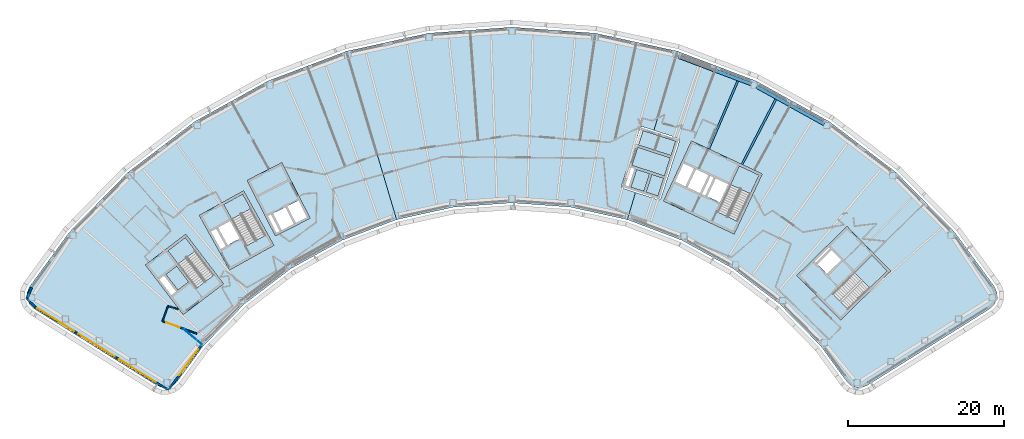
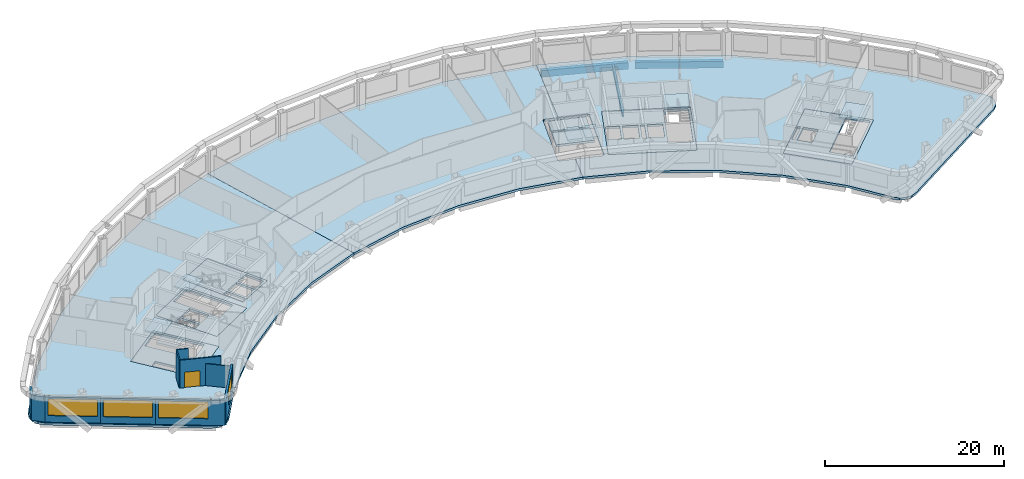
# One storey, part 4 of 18: 17 slabs, 10 walls, 4 beams, 4 windows, 1 door, 5 openings, 4 elements without a shape of their own.
"""IFC4 building model written with IfcOpenShell, lengths in metres."""

from ifc_helpers import new_model, si_unit, direction, frame, frame_2d, origin, origin_2d, place, context, subcontext, project, spatial, polyline, rectangle, hollow_rectangle, i_section, outline, extrude, material, layer, layer_set, material_profile, profile_set, type_object, element, fill, aggregate, save


model = new_model("IFC4")

# Units and contexts
model_context = context("Model", 3, precision=1e-05, world=origin(), true_north=direction((0.0, 1.0)))
body_context = subcontext(model_context, "Body", "Model", "MODEL_VIEW")
ifc_project = project(units=[si_unit("LENGTHUNIT", "METRE"), si_unit("AREAUNIT", "SQUARE_METRE"), si_unit("VOLUMEUNIT", "CUBIC_METRE"), si_unit("PLANEANGLEUNIT", "RADIAN"), si_unit("MASSUNIT", "GRAM", prefix="KILO")], contexts=[model_context])

# Site, building, storey
site_placement = place(None, origin())
site = spatial("IfcSite", under=ifc_project, at=site_placement, CompositionType="ELEMENT")
building_placement = place(site_placement, origin())
building = spatial("IfcBuilding", under=site, at=building_placement, Name="Tuul Gate Civic Tower", CompositionType="ELEMENT")
storey_placement = place(building_placement, frame((0.0, 0.0, 234.699951171875)))
storey = spatial("IfcBuildingStorey", under=building, at=storey_placement, Name="Level 53", CompositionType="ELEMENT", Elevation=234.699951171875)

# Beams
ifc_material_1 = material(Name="Steel S355", Category="steel")
ifc_material_profile_1 = material_profile(ifc_material_1, i_section(OverallWidth=0.25, OverallDepth=0.64990234375, WebThickness=0.011962890625, FlangeThickness=0.02001953125, at=origin_2d()), Name="PG650x250x12x20")
ifc_profile_set_1 = profile_set([ifc_material_profile_1], Name="Steel S355")
beam_type_1 = type_object("IfcBeamType", Name="STR-FLOOR BEAM-PG650x250x12x20", PredefinedType="BEAM", material=ifc_profile_set_1)
beam_1_placement = place(storey_placement, frame((35.4609375, 1.528564453125, -0.625), z_axis=(0.460792486789, 0.887507906511, 0.0), x_axis=(-0.887507906511, 0.460792486789, 0.0)))
element("IfcBeam", 1, at=beam_1_placement, inside=storey, type_object=beam_type_1, Name="Floor beam", PredefinedType="BEAM", context=body_context, shape_type="SweptSolid", body=[
    extrude(i_section(OverallWidth=0.25, OverallDepth=0.64990234375, WebThickness=0.011962890625, FlangeThickness=0.02001953125, at=origin_2d()), origin(), (0.0, 0.0, 1.0), 9.4140625),
])
beam_2_placement = place(storey_placement, frame((31.184814453125, 3.5224609375, -0.625), z_axis=(0.394202008704, 0.919023817066, 0.0), x_axis=(-0.919023817066, 0.394202008704, 0.0)))
element("IfcBeam", 2, at=beam_2_placement, inside=storey, type_object=beam_type_1, Name="Floor beam", PredefinedType="BEAM", context=body_context, shape_type="SweptSolid", body=[
    extrude(i_section(OverallWidth=0.25, OverallDepth=0.64990234375, WebThickness=0.011962890625, FlangeThickness=0.02001953125, at=origin_2d()), origin(), (0.0, 0.0, 1.0), 9.48388671875),
])
ifc_material_2 = material(Name="Steel S355", Category="steel")
ifc_material_profile_2 = material_profile(ifc_material_2, hollow_rectangle(XDim=0.449951171875, YDim=0.89990234375, WallThickness=0.02490234375, at=origin_2d()), Name="BOX900x450x25")
ifc_profile_set_2 = profile_set([ifc_material_profile_2], Name="Steel S355")
beam_type_2 = type_object("IfcBeamType", Name="STR-SPANDREL BEAM-BOX900x450x25", PredefinedType="BEAM", material=ifc_profile_set_2)
beam_3_placement = place(storey_placement, frame((45.9921875, 6.73681640625, -0.75), z_axis=(-0.874644171527, 0.484765482696, 0.0), x_axis=(-0.484765482696, -0.874644171527, 0.0)))
element("IfcBeam", 3, at=beam_3_placement, inside=storey, type_object=beam_type_2, Name="Spandrel beam", PredefinedType="BEAM", context=body_context, shape_type="SweptSolid", body=[
    extrude(hollow_rectangle(XDim=0.449951171875, YDim=0.89990234375, WallThickness=0.02490234375, at=origin_2d()), origin(), (0.0, 0.0, 1.0), 9.877685546875),
])
beam_4_placement = place(storey_placement, frame((36.62890625, 11.860595703125, -0.75), z_axis=(-0.935348375613, 0.353727884451, 0.0), x_axis=(-0.353727884451, -0.935348375613, 0.0)))
element("IfcBeam", 4, at=beam_4_placement, inside=storey, type_object=beam_type_2, Name="Spandrel beam", PredefinedType="BEAM", context=body_context, shape_type="SweptSolid", body=[
    extrude(hollow_rectangle(XDim=0.449951171875, YDim=0.89990234375, WallThickness=0.02490234375, at=origin_2d()), origin(), (0.0, 0.0, 1.0), 9.87744140625),
])

# Slabs
ifc_material_3 = material(Name="Concrete C40/50", Category="concrete")
ifc_layer_1 = layer(ifc_material_3, 0.300048828125)
ifc_layer_set_1 = layer_set([ifc_layer_1], Name="Concrete C40/50")
slab_type_1 = type_object("IfcSlabType", Name="Core floor slab 300", PredefinedType="FLOOR", material=ifc_layer_set_1)
slab_1_placement = place(storey_placement, frame((0.0, 0.0, -0.300048828125)))
element("IfcSlab", 5, at=slab_1_placement, inside=storey, type_object=slab_type_1, Name="FLOOR SLAB", PredefinedType="FLOOR", context=body_context, shape_type="SweptSolid", body=[
    extrude(outline(polyline([(-31.10009765625, -13.7890625), (-35.946044921875, -7.423828125), (-41.11767578125, -11.361572265625), (-36.271484375, -17.726806640625), (-31.10009765625, -13.7890625)]), holes=[polyline([(-37.19287109375, -14.783203125), (-38.737548828125, -12.75439453125), (-39.45361328125, -13.299560546875), (-37.908935546875, -15.328369140625), (-37.19287109375, -14.783203125)]), polyline([(-32.33935546875, -12.65771484375), (-34.56591796875, -14.352783203125), (-38.229736328125, -9.54052734375), (-36.003173828125, -7.845458984375), (-32.33935546875, -12.65771484375)])]), origin(), (0.0, 0.0, 1.0), 0.300048828125),
])
slab_2_placement = place(storey_placement, frame((0.0, 0.0, -0.300048828125)))
element("IfcSlab", 6, at=slab_2_placement, inside=storey, type_object=slab_type_1, Name="FLOOR SLAB", PredefinedType="FLOOR", context=body_context, shape_type="SweptSolid", body=[
    extrude(outline(polyline([(-24.638916015625, -8.846923828125), (-28.51708984375, -1.849853515625), (-34.2021484375, -5.0009765625), (-30.32421875, -11.998046875), (-24.638916015625, -8.846923828125)]), holes=[polyline([(-29.0185546875, -7.958740234375), (-30.254638671875, -5.728515625), (-31.785400390625, -6.576904296875), (-30.54931640625, -8.80712890625), (-29.0185546875, -7.958740234375)]), polyline([(-30.8115234375, -8.95263671875), (-32.047607421875, -6.72216796875), (-32.8349609375, -7.158447265625), (-31.5986328125, -9.388916015625), (-30.8115234375, -8.95263671875)]), polyline([(-25.702392578125, -7.548828125), (-28.14990234375, -8.905517578125), (-31.08203125, -3.615234375), (-28.63427734375, -2.2587890625), (-25.702392578125, -7.548828125)])]), origin(), (0.0, 0.0, 1.0), 0.300048828125),
])
slab_3_placement = place(storey_placement, frame((0.0, 0.0, -0.300048828125)))
element("IfcSlab", 7, at=slab_3_placement, inside=storey, type_object=slab_type_1, Name="FLOOR SLAB", PredefinedType="FLOOR", context=body_context, shape_type="SweptSolid", body=[
    extrude(outline(polyline([(48.117919921875, -18.43310546875), (54.545166015625, -12.1328125), (48.945068359375, -6.419921875), (42.517822265625, -12.719970703125), (48.117919921875, -18.43310546875)]), holes=[polyline([(46.373779296875, -12.510986328125), (48.19482421875, -10.725830078125), (46.969970703125, -9.47607421875), (45.14892578125, -11.26123046875), (46.373779296875, -12.510986328125)]), polyline([(44.93896484375, -11.046875), (46.760009765625, -9.261962890625), (46.514892578125, -9.011962890625), (44.69384765625, -10.797119140625), (44.93896484375, -11.046875)]), polyline([(49.086181640625, -17.062744140625), (47.12744140625, -15.064208984375), (52.160888671875, -10.130126953125), (54.11962890625, -12.128662109375), (49.086181640625, -17.062744140625)])]), origin(), (0.0, 0.0, 1.0), 0.300048828125),
])
slab_4_placement = place(storey_placement, frame((0.0, 0.0, -0.300048828125)))
element("IfcSlab", 8, at=slab_4_placement, inside=storey, type_object=slab_type_1, Name="FLOOR SLAB", PredefinedType="FLOOR", context=body_context, shape_type="SweptSolid", body=[
    extrude(outline(polyline([(34.465087890625, -7.385986328125), (38.056884765625, 0.31787109375), (28.993896484375, 4.543701171875), (25.40185546875, -3.159912109375), (34.465087890625, -7.385986328125)]), holes=[polyline([(32.60888671875, -3.32080078125), (33.6865234375, -1.009765625), (32.1005859375, -0.27001953125), (31.02294921875, -2.581298828125), (32.60888671875, -3.32080078125)]), polyline([(30.0712890625, -2.137451171875), (31.14892578125, 0.173583984375), (29.562744140625, 0.9130859375), (28.4853515625, -1.39794921875), (30.0712890625, -2.137451171875)]), polyline([(30.751220703125, -2.454345703125), (31.82861328125, -0.143310546875), (31.4208984375, 0.046875), (30.34326171875, -2.264404296875), (30.751220703125, -2.454345703125)]), polyline([(28.21337890625, -1.27099609375), (29.291015625, 1.0400390625), (27.8408203125, 1.71630859375), (26.76318359375, -0.594970703125), (28.21337890625, -1.27099609375)]), polyline([(34.889892578125, -5.7626953125), (32.353759765625, -4.580078125), (35.120849609375, 1.354736328125), (37.6572265625, 0.17236328125), (34.889892578125, -5.7626953125)])]), origin(), (0.0, 0.0, 1.0), 0.300048828125),
])
ifc_material_4 = material(Name="Concrete C40/50", Category="concrete")
ifc_layer_2 = layer(ifc_material_4, 0.300048828125)
ifc_layer_set_2 = layer_set([ifc_layer_2], Name="Concrete C40/50")
slab_type_2 = type_object("IfcSlabType", Name="Core floor slab 300 non-bearing", PredefinedType="FLOOR", material=ifc_layer_set_2)
slab_5_placement = place(storey_placement, frame((0.0, 0.0, -0.300048828125)))
element("IfcSlab", 9, at=slab_5_placement, inside=storey, type_object=slab_type_2, Name="FLOOR SLAB", PredefinedType="FLOOR", context=body_context, shape_type="SweptSolid", body=[
    extrude(outline(polyline([(-19.98095703125, -5.365966796875), (-23.613037109375, 1.761962890625), (-28.068115234375, -0.508056640625), (-24.43603515625, -7.635986328125), (-19.98095703125, -5.365966796875)]), holes=[polyline([(-20.384521484375, -5.23486328125), (-21.47412109375, -3.096435546875), (-22.899658203125, -3.822998046875), (-21.81005859375, -5.961181640625), (-20.384521484375, -5.23486328125)]), polyline([(-22.077392578125, -6.097412109375), (-23.1669921875, -3.958984375), (-24.726318359375, -4.753662109375), (-23.63671875, -6.89208984375), (-22.077392578125, -6.097412109375)]), polyline([(-23.8359375, -7.161865234375), (-24.99365234375, -4.889892578125), (-25.5283203125, -5.162109375), (-24.37060546875, -7.434326171875), (-23.8359375, -7.161865234375)])]), origin(), (0.0, 0.0, 1.0), 0.300048828125),
])
slab_6_placement = place(storey_placement, frame((0.0, 0.0, -0.300048828125)))
element("IfcSlab", 10, at=slab_6_placement, inside=storey, type_object=slab_type_2, Name="FLOOR SLAB", PredefinedType="FLOOR", context=body_context, shape_type="SweptSolid", body=[
    extrude(outline(polyline([(21.322265625, 1.41650390625), (22.07958984375, 3.74658203125), (26.26416015625, 2.38671875), (25.507080078125, 0.056640625), (21.322265625, 1.41650390625)])), origin(), (0.0, 0.0, 1.0), 0.300048828125),
])
slab_7_placement = place(storey_placement, frame((0.0, 0.0, -0.300048828125)))
element("IfcSlab", 11, at=slab_7_placement, inside=storey, type_object=slab_type_2, Name="FLOOR SLAB", PredefinedType="FLOOR", context=body_context, shape_type="SweptSolid", body=[
    extrude(outline(polyline([(26.35693359375, 2.672119140625), (22.17236328125, 4.031982421875), (22.775146484375, 5.88623046875), (26.959716796875, 4.526611328125), (26.35693359375, 2.672119140625)])), origin(), (0.0, 0.0, 1.0), 0.300048828125),
])

# Stair, slab
ifc_material_5 = material(Name="Concrete C40/50", Category="concrete")
stair_type = type_object("IfcStairType", Name="Exit stair", PredefinedType="HALF_TURN_STAIR", material=ifc_material_5)
stair_1_placement = place(storey_placement, origin())
stair_1 = element("IfcStair", 12, at=stair_1_placement, inside=storey, type_object=stair_type, Name="Level 53 ST-1", PredefinedType="HALF_TURN_STAIR")
ifc_material_6 = material(Name="Concrete C40/50", Category="concrete")
ifc_layer_3 = layer(ifc_material_6, 0.199951171875)
ifc_layer_set_3 = layer_set([ifc_layer_3], Name="Concrete C40/50")
slab_type_3 = type_object("IfcSlabType", Name="Exit stair landing", PredefinedType="LANDING", material=ifc_layer_set_3)
slab_8_placement = place(storey_placement, frame((0.0, 0.0, 1.900146484375)))
slab_8 = element("IfcSlab", 13, at=slab_8_placement, type_object=slab_type_3, Name="ST-1 landing 1", PredefinedType="LANDING", context=body_context, shape_type="SweptSolid", body=[
    extrude(outline(polyline([(-34.699462890625, -9.554931640625), (-36.9287109375, -11.252197265625), (-38.23193359375, -9.540283203125), (-36.0029296875, -7.843017578125), (-34.699462890625, -9.554931640625)])), origin(), (0.0, 0.0, 1.0), 0.199951171875),
])
aggregate(stair_1, [slab_8])

stair_2_placement = place(storey_placement, origin())
stair_2 = element("IfcStair", 14, at=stair_2_placement, inside=storey, type_object=stair_type, Name="Level 53 ST-2", PredefinedType="HALF_TURN_STAIR")
slab_9_placement = place(storey_placement, frame((0.0, 0.0, 1.900146484375)))
slab_9 = element("IfcSlab", 15, at=slab_9_placement, type_object=slab_type_3, Name="ST-2 landing 1", PredefinedType="LANDING", context=body_context, shape_type="SweptSolid", body=[
    extrude(outline(polyline([(-27.5908203125, -4.138427734375), (-30.041015625, -5.49658203125), (-31.084228515625, -3.61474609375), (-28.6337890625, -2.256591796875), (-27.5908203125, -4.138427734375)])), origin(), (0.0, 0.0, 1.0), 0.199951171875),
])
aggregate(stair_2, [slab_9])

stair_3_placement = place(storey_placement, origin())
stair_3 = element("IfcStair", 16, at=stair_3_placement, inside=storey, type_object=stair_type, Name="Level 53 ST-3", PredefinedType="HALF_TURN_STAIR")
slab_10_placement = place(storey_placement, frame((0.0, 0.0, 1.900146484375)))
slab_10 = element("IfcSlab", 17, at=slab_10_placement, type_object=slab_type_3, Name="ST-3 landing 1", PredefinedType="LANDING", context=body_context, shape_type="SweptSolid", body=[
    extrude(outline(polyline([(51.871337890625, -14.3349609375), (49.91015625, -12.334228515625), (52.160888671875, -10.1279296875), (54.1220703125, -12.128662109375), (51.871337890625, -14.3349609375)])), origin(), (0.0, 0.0, 1.0), 0.199951171875),
])
aggregate(stair_3, [slab_10])

stair_4_placement = place(storey_placement, origin())
stair_4 = element("IfcStair", 18, at=stair_4_placement, inside=storey, type_object=stair_type, Name="Level 53 ST-4", PredefinedType="HALF_TURN_STAIR")
slab_11_placement = place(storey_placement, frame((0.0, 0.0, 1.900146484375)))
slab_11 = element("IfcSlab", 19, at=slab_11_placement, type_object=slab_type_3, Name="ST-4 landing 1", PredefinedType="LANDING", context=body_context, shape_type="SweptSolid", body=[
    extrude(outline(polyline([(36.538818359375, -2.230224609375), (33.999755859375, -1.046142578125), (35.1201171875, 1.35693359375), (37.659423828125, 0.173095703125), (36.538818359375, -2.230224609375)])), origin(), (0.0, 0.0, 1.0), 0.199951171875),
])
aggregate(stair_4, [slab_11])

# Slabs
ifc_material_7 = material(Name="Concrete C40/50", Category="concrete")
ifc_layer_4 = layer(ifc_material_7, 0.300048828125)
ifc_layer_set_4 = layer_set([ifc_layer_4], Name="Concrete C40/50")
slab_type_4 = type_object("IfcSlabType", Name="Lift pit floor", PredefinedType="USERDEFINED", material=ifc_layer_set_4)
slab_12_placement = place(storey_placement, frame((0.0, 0.0, 2.10009765625)))
element("IfcSlab", 20, at=slab_12_placement, inside=storey, type_object=slab_type_4, Name="Lift pit floor H1", ObjectType="LIFT PIT FLOOR", PredefinedType="USERDEFINED", context=body_context, shape_type="SweptSolid", body=[
    extrude(outline(polyline([(-35.561767578125, -13.541259765625), (-37.1064453125, -11.512451171875), (-38.498779296875, -12.572509765625), (-36.9541015625, -14.6015625), (-35.561767578125, -13.541259765625)])), origin(), (0.0, 0.0, 1.0), 0.300048828125),
])
slab_13_placement = place(storey_placement, frame((0.0, 0.0, 2.10009765625)))
element("IfcSlab", 21, at=slab_13_placement, inside=storey, type_object=slab_type_4, Name="Lift pit floor H2", ObjectType="LIFT PIT FLOOR", PredefinedType="USERDEFINED", context=body_context, shape_type="SweptSolid", body=[
    extrude(outline(polyline([(24.67236328125, -2.510986328125), (25.414306640625, -0.228515625), (23.892578125, 0.265869140625), (23.150634765625, -2.0166015625), (24.67236328125, -2.510986328125)])), origin(), (0.0, 0.0, 1.0), 0.300048828125),
])
slab_14_placement = place(storey_placement, frame((0.0, 0.0, 2.10009765625)))
element("IfcSlab", 22, at=slab_14_placement, inside=storey, type_object=slab_type_4, Name="Lift pit floor H3", ObjectType="LIFT PIT FLOOR", PredefinedType="USERDEFINED", context=body_context, shape_type="SweptSolid", body=[
    extrude(outline(polyline([(22.865478515625, -1.923828125), (23.607177734375, 0.358642578125), (21.94287109375, 0.8994140625), (21.201171875, -1.383056640625), (22.865478515625, -1.923828125)])), origin(), (0.0, 0.0, 1.0), 0.300048828125),
])
ifc_material_8 = material(Name="Concrete C35/45", Category="concrete")
ifc_layer_5 = layer(ifc_material_8, 0.300048828125)
ifc_layer_set_5 = layer_set([ifc_layer_5], Name="Concrete C35/45")
slab_type_5 = type_object("IfcSlabType", Name="STR-FLOOR-SLAB-300", PredefinedType="FLOOR", material=ifc_layer_set_5)
slab_15_placement = place(storey_placement, frame((0.0, 0.0, -0.300048828125)))
element("IfcSlab", 23, at=slab_15_placement, inside=storey, type_object=slab_type_5, Name="Level 53/slab/W", PredefinedType="FLOOR", context=body_context, shape_type="SweptSolid", body=[
    extrude(outline(polyline([(-15.89404296875, -8.2041015625), (-8.875, -5.549072265625), (-15.30908203125, 16.072998046875), (-25.376953125, 12.264892578125), (-34.7919921875, 7.0458984375), (-43.35595703125, 0.52587890625), (-50.89111328125, -7.160888671875), (-55.971923828125, -14.117919921875), (-56.30810546875, -14.861083984375), (-56.320068359375, -15.677001953125), (-56.006103515625, -16.428955078125), (-55.416015625, -16.992919921875), (-39.68603515625, -26.822998046875), (-38.991943359375, -27.093017578125), (-38.2470703125, -27.090087890625), (-37.554931640625, -26.81494140625), (-37.011962890625, -26.305908203125), (-33.681884765625, -21.748046875), (-28.428955078125, -16.388916015625), (-22.4580078125, -11.842041015625), (-15.89404296875, -8.2041015625)]), holes=[polyline([(-31.10009765625, -13.7890625), (-36.27197265625, -17.72705078125), (-41.117919921875, -11.362060546875), (-35.946044921875, -7.424072265625), (-31.10009765625, -13.7890625)]), polyline([(-30.323974609375, -11.998046875), (-34.201904296875, -5.0009765625), (-28.51708984375, -1.85009765625), (-24.638916015625, -8.846923828125), (-30.323974609375, -11.998046875)]), polyline([(-19.98095703125, -5.365966796875), (-24.43603515625, -7.635986328125), (-28.068115234375, -0.508056640625), (-23.613037109375, 1.761962890625), (-19.98095703125, -5.365966796875)])]), origin(), (0.0, 0.0, 1.0), 0.300048828125),
])
slab_16_placement = place(storey_placement, frame((0.0, 0.0, -0.300048828125)))
element("IfcSlab", 24, at=slab_16_placement, inside=storey, type_object=slab_type_5, Name="Level 53/slab/M", PredefinedType="FLOOR", context=body_context, shape_type="SweptSolid", body=[
    extrude(outline(polyline([(13.425048828125, -3.93408203125), (20.75390625, -5.549072265625), (21.794921875, -2.049072265625), (20.06396484375, -1.487060546875), (19.967041015625, -1.298095703125), (22.43896484375, 6.31103515625), (22.6279296875, 6.407958984375), (24.1640625, 5.908935546875), (27.18798828125, 16.072998046875), (16.676025390625, 18.388916015625), (5.93994140625, 19.1669921875), (-4.7958984375, 18.388916015625), (-15.30810546875, 16.072998046875), (-15.30908203125, 16.072998046875), (-8.875, -5.549072265625), (-8.8740234375, -5.549072265625), (-1.544921875, -3.93408203125), (5.93994140625, -3.39208984375), (13.425048828125, -3.93408203125)])), origin(), (0.0, 0.0, 1.0), 0.300048828125),
])
slab_17_placement = place(storey_placement, frame((0.0, 0.0, -0.300048828125)))
element("IfcSlab", 25, at=slab_17_placement, inside=storey, type_object=slab_type_5, Name="Level 53/slab/E", PredefinedType="FLOOR", context=body_context, shape_type="SweptSolid", body=[
    extrude(outline(polyline([(50.8720703125, -27.093017578125), (51.56591796875, -26.822998046875), (67.2958984375, -16.992919921875), (67.885009765625, -16.428955078125), (68.199951171875, -15.677001953125), (68.18798828125, -14.861083984375), (67.85107421875, -14.117919921875), (62.77099609375, -7.160888671875), (55.235107421875, 0.52587890625), (46.6708984375, 7.0458984375), (37.256103515625, 12.264892578125), (27.18798828125, 16.072998046875), (24.1640625, 5.908935546875), (27.384033203125, 4.863037109375), (27.48095703125, 4.674072265625), (25.008056640625, -2.93505859375), (24.819091796875, -3.031982421875), (21.794921875, -2.049072265625), (20.75390625, -5.549072265625), (27.77294921875, -8.2041015625), (34.3369140625, -11.842041015625), (40.30810546875, -16.388916015625), (45.56201171875, -21.748046875), (48.89111328125, -26.305908203125), (49.43505859375, -26.81494140625), (50.126953125, -27.090087890625), (50.8720703125, -27.093017578125)]), holes=[polyline([(42.51806640625, -12.719970703125), (48.945068359375, -6.419921875), (54.544921875, -12.133056640625), (48.117919921875, -18.43310546875), (42.51806640625, -12.719970703125)]), polyline([(25.402099609375, -3.159912109375), (28.993896484375, 4.5439453125), (38.056884765625, 0.318115234375), (34.465087890625, -7.385986328125), (25.402099609375, -3.159912109375)])]), origin(), (0.0, 0.0, 1.0), 0.300048828125),
])

# Walls
ifc_material_9 = material(Name="Gypsum board partition")
ifc_layer_6 = layer(ifc_material_9, 0.14990234375)
ifc_layer_set_6 = layer_set([ifc_layer_6], Name="Gypsum board partition")
wall_type_1 = type_object("IfcWallType", Name="Corridor wall P150", PredefinedType="PARTITIONING", material=ifc_layer_set_6)
wall_1_placement = place(storey_placement, frame((-38.2177734375, -16.6123046875, 0.0), z_axis=(0.0, 0.0, 1.0), x_axis=(0.93943094264, -0.342738244161, 0.0)))
element("IfcWall", 26, at=wall_1_placement, inside=storey, type_object=wall_type_1, Name="p059", PredefinedType="PARTITIONING", context=body_context, shape_type="SweptSolid", body=[
    extrude(rectangle(XDim=1.339111328125, YDim=0.14990234375, at=frame_2d((0.66943359375, 0.0))), origin(), (0.0, 0.0, 1.0), 3.800048828125),
])
wall_2_placement = place(storey_placement, frame((-38.93701171875, -18.58544921875, 0.0), z_axis=(0.0, 0.0, 1.0), x_axis=(0.342471004807, 0.939528398116, 0.0)))
element("IfcWall", 27, at=wall_2_placement, inside=storey, type_object=wall_type_1, Name="p060", PredefinedType="PARTITIONING", context=body_context, shape_type="SweptSolid", body=[
    extrude(rectangle(XDim=2.10009765625, YDim=0.14990234375, at=frame_2d((1.050048828125, 0.0))), origin(), (0.0, 0.0, 1.0), 3.800048828125),
])

# Wall, opening, door
wall_3_placement = place(storey_placement, frame((-38.93701171875, -18.58544921875, 0.0), z_axis=(0.0, 0.0, 1.0), x_axis=(0.939538194419, -0.342444128622, 0.0)))
wall_3 = element("IfcWall", 28, at=wall_3_placement, inside=storey, type_object=wall_type_1, Name="p061", PredefinedType="PARTITIONING", context=body_context, shape_type="SweptSolid", body=[
    extrude(rectangle(XDim=4.69677734375, YDim=0.14990234375, at=frame_2d((2.348388671875, 0.0))), origin(), (0.0, 0.0, 1.0), 3.800048828125),
])
opening_1_placement = place(wall_3_placement, frame((0.522216796875, 0.0, 0.0)))
opening_1 = element("IfcOpeningElement", 29, at=opening_1_placement, cuts=wall_3, Name="Opening S-D13", PredefinedType="OPENING", context=body_context, shape_type="SweptSolid", body=[
    extrude(rectangle(XDim=1.800048828125, YDim=2.10009765625, at=frame_2d((0.89990234375, 1.050048828125))), frame((0.0, 0.0849609375, 0.0), z_axis=(0.0, -1.0, 0.0), x_axis=(1.0, 0.0, 0.0)), (0.0, 0.0, 1.0), 0.169921875),
])
ifc_material_10 = material(Name="Timber door leaf, double", Category="wood")
door_type = type_object("IfcDoorType", Name="Door D18", OperationType="DOUBLE_DOOR_SINGLE_SWING", PredefinedType="DOOR", material=ifc_material_10)
door_placement = place(opening_1_placement, frame((1.800048828125, 0.0, 0.0), z_axis=(0.0, 0.0, 1.0), x_axis=(-1.0, 0.0, 0.0)))
door = element("IfcDoor", 30, at=door_placement, inside=storey, type_object=door_type, Name="Door S-D13", OperationType="DOUBLE_DOOR_SINGLE_SWING", OverallHeight=2.10009765625, OverallWidth=1.800048828125, PredefinedType="DOOR", context=body_context, shape_type="SweptSolid", body=[
    extrude(rectangle(XDim=1.800048828125, YDim=2.10009765625, at=frame_2d((0.900146484375, 1.050048828125))), frame((0.0, 0.02490234375, 0.0), z_axis=(0.0, -1.0, 0.0), x_axis=(1.0, 0.0, 0.0)), (0.0, 0.0, 1.0), 0.050048828125),
])
fill(opening_1, door)

# Walls
ifc_material_11 = material(Name="Precast concrete C40/50", Category="concrete")
ifc_layer_7 = layer(ifc_material_11, 0.25)
ifc_layer_set_7 = layer_set([ifc_layer_7], Name="Precast concrete C40/50")
wall_type_2 = type_object("IfcWallType", Name="External wall", PredefinedType="STANDARD", material=ifc_layer_set_7)
wall_4_placement = place(storey_placement, frame((-55.737060546875, -14.257568359375, 0.0), z_axis=(0.0, 0.0, 1.0), x_axis=(-0.411952945487, -0.911205119995, 0.0)))
element("IfcWall", 31, at=wall_4_placement, inside=storey, type_object=wall_type_2, Name="External wall", PredefinedType="STANDARD", context=body_context, shape_type="SweptSolid", body=[
    extrude(rectangle(XDim=1.57177734375, YDim=0.25, at=frame_2d((0.785888671875, 0.0))), origin(), (0.0, 0.0, 1.0), 3.449951171875),
])
wall_5_placement = place(storey_placement, frame((-56.384521484375, -15.689697265625, 0.0), z_axis=(0.0, 0.0, 1.0), x_axis=(0.722256777638, -0.691625004722, 0.0)))
element("IfcWall", 32, at=wall_5_placement, inside=storey, type_object=wall_type_2, Name="External wall", PredefinedType="STANDARD", context=body_context, shape_type="SweptSolid", body=[
    extrude(rectangle(XDim=1.570068359375, YDim=0.25, at=frame_2d((0.78515625, 0.0))), origin(), (0.0, 0.0, 1.0), 3.449951171875),
])

# Wall, opening, window
wall_6_placement = place(storey_placement, frame((-55.270751953125, -16.760009765625, 0.0), z_axis=(0.0, 0.0, 1.0), x_axis=(0.848053758074, -0.529910203164, 0.0)))
wall_6 = element("IfcWall", 33, at=wall_6_placement, inside=storey, type_object=wall_type_2, Name="External wall", PredefinedType="STANDARD", context=body_context, shape_type="SweptSolid", body=[
    extrude(rectangle(XDim=6.182861328125, YDim=0.25, at=frame_2d((3.09130859375, 0.0))), origin(), (0.0, 0.0, 1.0), 3.449951171875),
])
opening_2_placement = place(wall_6_placement, frame((0.31640625, 0.0, 0.89990234375)))
opening_2 = element("IfcOpeningElement", 34, at=opening_2_placement, cuts=wall_6, Name="Opening W24", PredefinedType="OPENING", context=body_context, shape_type="SweptSolid", body=[
    extrude(rectangle(XDim=5.550048828125, YDim=2.300048828125, at=frame_2d((2.77490234375, 1.14990234375))), frame((0.0, 0.135009765625, 0.0), z_axis=(0.0, -1.0, 0.0), x_axis=(1.0, 0.0, 0.0)), (0.0, 0.0, 1.0), 0.27001953125),
])
ifc_material_12 = material(Name="Glass", Category="glass")
window_type_1 = type_object("IfcWindowType", Name="Window W24 5550 x 2300", PartitioningType="SINGLE_PANEL", PredefinedType="WINDOW", material=ifc_material_12)
window_1_placement = place(opening_2_placement, origin())
window_1 = element("IfcWindow", 35, at=window_1_placement, inside=storey, type_object=window_type_1, Name="Window", OverallHeight=2.300048828125, OverallWidth=5.550048828125, PartitioningType="SINGLE_PANEL", PredefinedType="WINDOW", context=body_context, shape_type="SweptSolid", body=[
    extrude(rectangle(XDim=5.550048828125, YDim=2.300048828125, at=frame_2d((2.77490234375, 1.14990234375))), frame((0.0, 0.030029296875, 0.0), z_axis=(0.0, -1.0, 0.0), x_axis=(1.0, 0.0, 0.0)), (0.0, 0.0, 1.0), 0.06005859375),
])
fill(opening_2, window_1)

wall_7_placement = place(storey_placement, frame((-50.02734375, -20.036376953125, 0.0), z_axis=(0.0, 0.0, 1.0), x_axis=(0.848042669488, -0.529927948619, 0.0)))
wall_7 = element("IfcWall", 36, at=wall_7_placement, inside=storey, type_object=wall_type_2, Name="External wall", PredefinedType="STANDARD", context=body_context, shape_type="SweptSolid", body=[
    extrude(rectangle(XDim=6.1826171875, YDim=0.25, at=frame_2d((3.09130859375, 0.0))), origin(), (0.0, 0.0, 1.0), 3.449951171875),
])
opening_3_placement = place(wall_7_placement, frame((0.31640625, 0.0, 0.89990234375)))
opening_3 = element("IfcOpeningElement", 37, at=opening_3_placement, cuts=wall_7, Name="Opening W24", PredefinedType="OPENING", context=body_context, shape_type="SweptSolid", body=[
    extrude(rectangle(XDim=5.550048828125, YDim=2.300048828125, at=frame_2d((2.77490234375, 1.14990234375))), frame((0.0, 0.135009765625, 0.0), z_axis=(0.0, -1.0, 0.0), x_axis=(1.0, 0.0, 0.0)), (0.0, 0.0, 1.0), 0.27001953125),
])
window_2_placement = place(opening_3_placement, origin())
window_2 = element("IfcWindow", 38, at=window_2_placement, inside=storey, type_object=window_type_1, Name="Window", OverallHeight=2.300048828125, OverallWidth=5.550048828125, PartitioningType="SINGLE_PANEL", PredefinedType="WINDOW", context=body_context, shape_type="SweptSolid", body=[
    extrude(rectangle(XDim=5.550048828125, YDim=2.300048828125, at=frame_2d((2.77490234375, 1.14990234375))), frame((0.0, 0.030029296875, 0.0), z_axis=(0.0, -1.0, 0.0), x_axis=(1.0, 0.0, 0.0)), (0.0, 0.0, 1.0), 0.06005859375),
])
fill(opening_3, window_2)

wall_8_placement = place(storey_placement, frame((-44.7841796875, -23.312744140625, 0.0), z_axis=(0.0, 0.0, 1.0), x_axis=(0.848066986554, -0.529889032078, 0.0)))
wall_8 = element("IfcWall", 39, at=wall_8_placement, inside=storey, type_object=wall_type_2, Name="External wall", PredefinedType="STANDARD", context=body_context, shape_type="SweptSolid", body=[
    extrude(rectangle(XDim=7.787353515625, YDim=0.25, at=frame_2d((3.8935546875, 0.0))), origin(), (0.0, 0.0, 1.0), 3.449951171875),
])
opening_4_placement = place(wall_8_placement, frame((0.31640625, 0.0, 0.89990234375)))
opening_4 = element("IfcOpeningElement", 40, at=opening_4_placement, cuts=wall_8, Name="Opening W24", PredefinedType="OPENING", context=body_context, shape_type="SweptSolid", body=[
    extrude(rectangle(XDim=5.550048828125, YDim=2.300048828125, at=frame_2d((2.77490234375, 1.14990234375))), frame((0.0, 0.135009765625, 0.0), z_axis=(0.0, -1.0, 0.0), x_axis=(1.0, 0.0, 0.0)), (0.0, 0.0, 1.0), 0.27001953125),
])
window_3_placement = place(opening_4_placement, origin())
window_3 = element("IfcWindow", 41, at=window_3_placement, inside=storey, type_object=window_type_1, Name="Window", OverallHeight=2.300048828125, OverallWidth=5.550048828125, PartitioningType="SINGLE_PANEL", PredefinedType="WINDOW", context=body_context, shape_type="SweptSolid", body=[
    extrude(rectangle(XDim=5.550048828125, YDim=2.300048828125, at=frame_2d((2.77490234375, 1.14990234375))), frame((0.0, 0.030029296875, 0.0), z_axis=(0.0, -1.0, 0.0), x_axis=(1.0, 0.0, 0.0)), (0.0, 0.0, 1.0), 0.06005859375),
])
fill(opening_4, window_3)

wall_9_placement = place(storey_placement, frame((-38.179931640625, -27.439208984375, 0.0), z_axis=(0.0, 0.0, 1.0), x_axis=(0.589856460688, 0.807508114996, 0.0)))
wall_9 = element("IfcWall", 42, at=wall_9_placement, inside=storey, type_object=wall_type_2, Name="External wall", PredefinedType="STANDARD", context=body_context, shape_type="SweptSolid", body=[
    extrude(rectangle(XDim=7.0341796875, YDim=0.25, at=frame_2d((3.51708984375, 0.0))), origin(), (0.0, 0.0, 1.0), 3.449951171875),
])
opening_5_placement = place(wall_9_placement, frame((2.356689453125, 0.0, 0.89990234375)))
opening_5 = element("IfcOpeningElement", 43, at=opening_5_placement, cuts=wall_9, Name="Opening W25", PredefinedType="OPENING", context=body_context, shape_type="SweptSolid", body=[
    extrude(rectangle(XDim=4.14990234375, YDim=2.300048828125, at=frame_2d((2.074951171875, 1.14990234375))), frame((0.0, 0.135009765625, 0.0), z_axis=(0.0, -1.0, 0.0), x_axis=(1.0, 0.0, 0.0)), (0.0, 0.0, 1.0), 0.27001953125),
])
ifc_material_13 = material(Name="Glass", Category="glass")
window_type_2 = type_object("IfcWindowType", Name="Window W25 4150 x 2300", PartitioningType="SINGLE_PANEL", PredefinedType="WINDOW", material=ifc_material_13)
window_4_placement = place(opening_5_placement, origin())
window_4 = element("IfcWindow", 44, at=window_4_placement, inside=storey, type_object=window_type_2, Name="Window", OverallHeight=2.300048828125, OverallWidth=4.14990234375, PartitioningType="SINGLE_PANEL", PredefinedType="WINDOW", context=body_context, shape_type="SweptSolid", body=[
    extrude(rectangle(XDim=4.14990234375, YDim=2.300048828125, at=frame_2d((2.074951171875, 1.14990234375))), frame((0.0, 0.030029296875, 0.0), z_axis=(0.0, -1.0, 0.0), x_axis=(1.0, 0.0, 0.0)), (0.0, 0.0, 1.0), 0.06005859375),
])
fill(opening_5, window_4)

# Wall
ifc_material_14 = material(Name="Gypsum board partition")
ifc_layer_8 = layer(ifc_material_14, 0.10009765625)
ifc_layer_set_8 = layer_set([ifc_layer_8], Name="Gypsum board partition")
wall_type_3 = type_object("IfcWallType", Name="Partition P100 3000 HIGH", PredefinedType="PARTITIONING", material=ifc_layer_set_8)
wall_10_placement = place(storey_placement, frame((-36.264404296875, -19.5595703125, 0.0), z_axis=(0.0, 0.0, 1.0), x_axis=(0.762809082382, -0.64662377302, 0.0)))
element("IfcWall", 45, at=wall_10_placement, inside=storey, type_object=wall_type_3, Name="p057", PredefinedType="PARTITIONING", context=body_context, shape_type="SweptSolid", body=[
    extrude(rectangle(XDim=3.114013671875, YDim=0.10009765625, at=frame_2d((1.55712890625, 0.0))), origin(), (0.0, 0.0, 1.0), 3.0),
])

save(model, "model.ifc")
